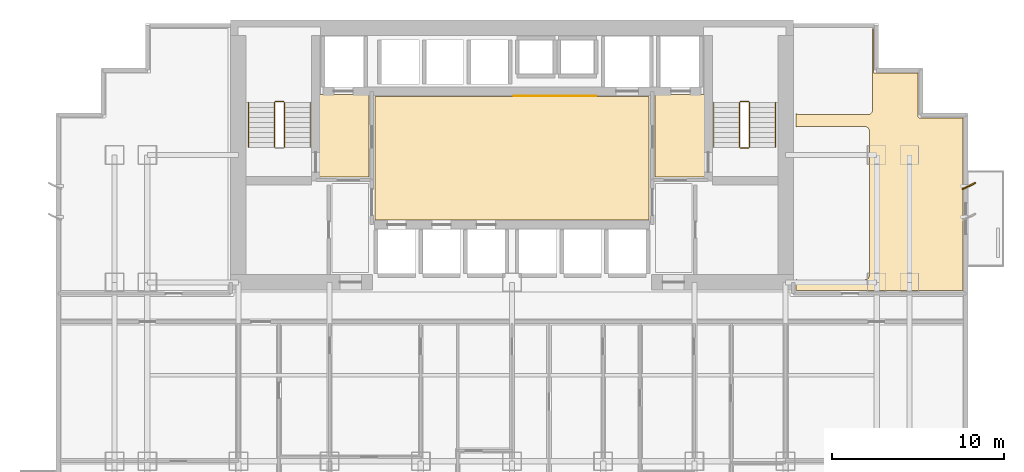
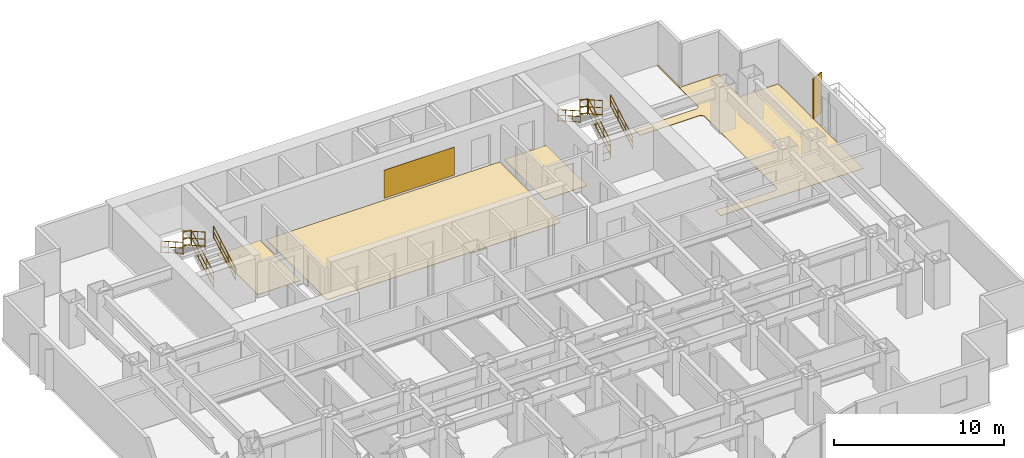
# One storey, part 10 of 10: 11 railings, 5 coverings, 1 shading device.
"""IFC4 building model written with IfcOpenShell, lengths in metres."""

from ifc_helpers import new_model, si_unit, direction, frame, origin, origin_2d, place, context, subcontext, project, spatial, polyline, rectangle, circle, outline, extrude, source, transform, mapped, material, layer, layer_set, type_object, element, save


model = new_model("IFC4")

# Units and contexts
model_context = context("Model", 3, precision=1e-05, world=origin(), true_north=direction((0.0, 1.0)))
body_context = subcontext(model_context, "Body", "Model", "MODEL_VIEW")
ifc_project = project(units=[si_unit("LENGTHUNIT", "METRE"), si_unit("AREAUNIT", "SQUARE_METRE"), si_unit("VOLUMEUNIT", "CUBIC_METRE"), si_unit("PLANEANGLEUNIT", "RADIAN"), si_unit("MASSUNIT", "GRAM", prefix="KILO")], contexts=[model_context])

# Site, building, storey
site_placement = place(None, origin())
site = spatial("IfcSite", under=ifc_project, at=site_placement, CompositionType="ELEMENT")
building_placement = place(site_placement, origin())
building = spatial("IfcBuilding", under=site, at=building_placement, Name="Qianlan Lanfeng Residences", CompositionType="ELEMENT")
storey_placement = place(building_placement, frame((0.0, 0.0, 57.199951171875)))
storey = spatial("IfcBuildingStorey", under=building, at=storey_placement, Name="L15", CompositionType="ELEMENT", Elevation=57.199951171875)

# Coverings
ifc_material_1 = material(Name="Anodised Bronze Feature Wall Cladding")
ifc_layer_1 = layer(ifc_material_1, 0.02490234375)
ifc_layer_set_1 = layer_set([ifc_layer_1], Name="Anodised Bronze Feature Wall Cladding")
covering_type_1 = type_object("IfcCoveringType", Name="CLD-BRZ-25", PredefinedType="CLADDING", material=ifc_layer_set_1)
covering_1_placement = place(storey_placement, frame((0.0, 0.0, 0.150146484375)))
element("IfcCovering", 1, at=covering_1_placement, inside=storey, type_object=covering_type_1, Name="L15 Lift Lobby Bronze Feature Cladding", PredefinedType="CLADDING", context=body_context, shape_type="SweptSolid", body=[
    extrude(outline(polyline([(26.60009765625, 36.02490234375), (31.39990234375, 36.02490234375), (31.39990234375, 36.050048828125), (26.60009765625, 36.050048828125), (26.60009765625, 36.02490234375)])), origin(), (0.0, 0.0, 1.0), 2.02001953125),
])
ifc_material_2 = material(Name="Honed Taitung Granite Stone Flooring", Category="masonry")
ifc_layer_2 = layer(ifc_material_2, 0.030029296875)
ifc_layer_set_2 = layer_set([ifc_layer_2], Name="Honed Taitung Granite Stone Flooring")
covering_type_2 = type_object("IfcCoveringType", Name="FLR-STN-30", PredefinedType="FLOORING", material=ifc_layer_set_2)
covering_2_placement = place(storey_placement, origin())
element("IfcCovering", 2, at=covering_2_placement, inside=storey, type_object=covering_type_2, Name="L15 Firefighting Lift Lobby Floor Finish", PredefinedType="FLOORING", context=body_context, shape_type="SweptSolid", body=[
    extrude(outline(polyline([(15.2900390625, 31.320068359375), (18.179931640625, 31.320068359375), (18.179931640625, 36.110107421875), (15.2900390625, 36.110107421875), (15.2900390625, 31.320068359375)])), origin(), (0.0, 0.0, 1.0), 0.030029296875),
])
covering_3_placement = place(storey_placement, origin())
element("IfcCovering", 3, at=covering_3_placement, inside=storey, type_object=covering_type_2, Name="L15 Firefighting Lift Lobby Floor Finish", PredefinedType="FLOORING", context=body_context, shape_type="SweptSolid", body=[
    extrude(outline(polyline([(34.820068359375, 31.320068359375), (37.7099609375, 31.320068359375), (37.7099609375, 36.110107421875), (34.820068359375, 36.110107421875), (34.820068359375, 31.320068359375)])), origin(), (0.0, 0.0, 1.0), 0.030029296875),
])
covering_4_placement = place(storey_placement, origin())
element("IfcCovering", 4, at=covering_4_placement, inside=storey, type_object=covering_type_2, Name="L15 Lift Lobby Floor Finish", PredefinedType="FLOORING", context=body_context, shape_type="SweptSolid", body=[
    extrude(outline(polyline([(18.550048828125, 28.820068359375), (34.449951171875, 28.820068359375), (34.449951171875, 36.010009765625), (18.550048828125, 36.010009765625), (18.550048828125, 28.820068359375)])), origin(), (0.0, 0.0, 1.0), 0.030029296875),
])
ifc_material_3 = material(Name="Engineered Smoked Oak Timber Flooring", Category="wood")
ifc_layer_3 = layer(ifc_material_3, 0.02197265625)
ifc_layer_set_3 = layer_set([ifc_layer_3], Name="Engineered Smoked Oak Timber Flooring")
covering_type_3 = type_object("IfcCoveringType", Name="FLR-TIM-22", PredefinedType="FLOORING", material=ifc_layer_set_3)
covering_5_placement = place(storey_placement, origin())
element("IfcCovering", 5, at=covering_5_placement, inside=storey, type_object=covering_type_3, Name="L15 Yoga Studio Floor Finish", PredefinedType="FLOORING", context=body_context, shape_type="SweptSolid", body=[
    extrude(outline(polyline([(43.0, 24.719970703125), (52.7099609375, 24.719970703125), (52.7099609375, 34.760009765625), (50.179931640625, 34.760009765625), (50.173095703125, 34.760009765625), (50.166015625, 34.760986328125), (50.159912109375, 34.762939453125), (50.153076171875, 34.764892578125), (50.14697265625, 34.76806640625), (50.14111328125, 34.77197265625), (50.135986328125, 34.77587890625), (50.131103515625, 34.781005859375), (50.1259765625, 34.785888671875), (50.1220703125, 34.791015625), (50.117919921875, 34.797119140625), (50.114990234375, 34.802978515625), (50.113037109375, 34.81005859375), (50.111083984375, 34.81591796875), (50.110107421875, 34.822998046875), (50.110107421875, 34.830078125), (50.110107421875, 37.360107421875), (47.580078125, 37.360107421875), (47.572998046875, 37.360107421875), (47.56591796875, 37.361083984375), (47.56005859375, 37.363037109375), (47.552978515625, 37.364990234375), (47.547119140625, 37.367919921875), (47.541015625, 37.3720703125), (47.535888671875, 37.3759765625), (47.531005859375, 37.381103515625), (47.52587890625, 37.385986328125), (47.52197265625, 37.39111328125), (47.51806640625, 37.39697265625), (47.514892578125, 37.403076171875), (47.512939453125, 37.409912109375), (47.510986328125, 37.416015625), (47.510009765625, 37.423095703125), (47.510009765625, 37.429931640625), (47.510009765625, 39.9599609375), (47.449951171875, 39.9599609375), (47.449951171875, 35.199951171875), (47.448974609375, 35.175048828125), (47.445068359375, 35.15087890625), (47.43896484375, 35.126953125), (47.430908203125, 35.10400390625), (47.419921875, 35.08203125), (47.407958984375, 35.06103515625), (47.39306640625, 35.041015625), (47.376953125, 35.02294921875), (47.35888671875, 35.007080078125), (47.339111328125, 34.991943359375), (47.318115234375, 34.97998046875), (47.2958984375, 34.968994140625), (47.27294921875, 34.9609375), (47.2490234375, 34.955078125), (47.22509765625, 34.950927734375), (47.199951171875, 34.949951171875), (43.199951171875, 34.949951171875), (43.175048828125, 34.950927734375), (43.15087890625, 34.955078125), (43.126953125, 34.9609375), (43.10400390625, 34.968994140625), (43.08203125, 34.97998046875), (43.06103515625, 34.991943359375), (43.041015625, 35.007080078125), (43.02294921875, 35.02294921875), (43.007080078125, 35.041015625), (43.0, 35.050048828125), (43.0, 34.237060546875), (43.007080078125, 34.239013671875), (43.031005859375, 34.2451171875), (43.054931640625, 34.2490234375), (43.080078125, 34.25), (47.02001953125, 34.25), (47.044921875, 34.2490234375), (47.069091796875, 34.2451171875), (47.093017578125, 34.239013671875), (47.115966796875, 34.23095703125), (47.137939453125, 34.219970703125), (47.158935546875, 34.2080078125), (47.178955078125, 34.193115234375), (47.197021484375, 34.177001953125), (47.212890625, 34.158935546875), (47.22802734375, 34.138916015625), (47.239990234375, 34.117919921875), (47.2509765625, 34.095947265625), (47.259033203125, 34.072998046875), (47.264892578125, 34.049072265625), (47.26904296875, 34.02490234375), (47.27001953125, 34.0), (47.27001953125, 25.60009765625), (47.26904296875, 25.574951171875), (47.264892578125, 25.551025390625), (47.259033203125, 25.527099609375), (47.2509765625, 25.50390625), (47.239990234375, 25.48193359375), (47.22802734375, 25.4609375), (47.212890625, 25.44091796875), (47.197021484375, 25.423095703125), (47.178955078125, 25.406982421875), (47.158935546875, 25.39208984375), (47.137939453125, 25.3798828125), (47.115966796875, 25.368896484375), (47.093017578125, 25.361083984375), (47.069091796875, 25.35498046875), (47.044921875, 25.35107421875), (47.02001953125, 25.35009765625), (43.080078125, 25.35009765625), (43.054931640625, 25.35107421875), (43.031005859375, 25.35498046875), (43.007080078125, 25.361083984375), (43.0, 25.363037109375), (43.0, 24.719970703125)])), origin(), (0.0, 0.0, 1.0), 0.02197265625),
])

# Railings
ifc_material_4 = material(Name="Painted Galvanised Steel Guardrail", Category="steel")
railing_type_1 = type_object("IfcRailingType", Name="GR-ST-1120", PredefinedType="GUARDRAIL", material=ifc_material_4)
railing_1_placement = place(storey_placement, frame((13.27001953125, 33.050048828125, 0.1650390625)))
element("IfcRailing", 6, at=railing_1_placement, inside=storey, type_object=railing_type_1, Name="L15 ST-1 stair guard 1", PredefinedType="GUARDRAIL", context=body_context, shape_type="SweptSolid", body=[
    extrude(circle(Radius=0.02392578125, at=origin_2d()), frame((0.0, 0.0, 0.083984375), z_axis=(0.0, 0.869137319866, 0.494570843475), x_axis=(-1.0, 0.0, 0.0)), (0.0, 0.0, 1.0), 3.0029296875),
    extrude(circle(Radius=0.02392578125, at=origin_2d()), frame((0.0, 0.0, 0.58251953125), z_axis=(0.0, 0.869137319866, 0.494570843475), x_axis=(-1.0, 0.0, 0.0)), (0.0, 0.0, 1.0), 3.0029296875),
    extrude(circle(Radius=0.02392578125, at=origin_2d()), frame((0.0, 0.0, 1.09619140625), z_axis=(0.0, 0.869137319866, 0.494570843475), x_axis=(-1.0, 0.0, 0.0)), (0.0, 0.0, 1.0), 3.0029296875),
    extrude(circle(Radius=0.02099609375, at=origin_2d()), origin(), (0.0, 0.0, 1.0), 1.072021484375),
    extrude(circle(Radius=0.02099609375, at=origin_2d()), frame((0.0, 0.869873046875, 0.4951171875)), (0.0, 0.0, 1.0), 1.072021484375),
    extrude(circle(Radius=0.02099609375, at=origin_2d()), frame((0.0, 1.739990234375, 0.989990234375)), (0.0, 0.0, 1.0), 1.072021484375),
    extrude(circle(Radius=0.02099609375, at=origin_2d()), frame((0.0, 2.60986328125, 1.485107421875)), (0.0, 0.0, 1.0), 1.072021484375),
])
railing_2_placement = place(storey_placement, frame((13.219970703125, 35.7099609375, 1.650146484375)))
element("IfcRailing", 7, at=railing_2_placement, inside=storey, type_object=railing_type_1, Name="L15 ST-1 stair guard 2", PredefinedType="GUARDRAIL", context=body_context, shape_type="SweptSolid", body=[
    extrude(circle(Radius=0.02392578125, at=origin_2d()), frame((0.0, 0.0, 0.083984375), z_axis=(-1.0, 0.0, 0.0), x_axis=(0.0, -1.0, 0.0)), (0.0, 0.0, 1.0), 0.47998046875),
    extrude(circle(Radius=0.02392578125, at=origin_2d()), frame((0.0, 0.0, 0.58251953125), z_axis=(-1.0, 0.0, 0.0), x_axis=(0.0, -1.0, 0.0)), (0.0, 0.0, 1.0), 0.47998046875),
    extrude(circle(Radius=0.02392578125, at=origin_2d()), frame((0.0, 0.0, 1.09619140625), z_axis=(-1.0, 0.0, 0.0), x_axis=(0.0, -1.0, 0.0)), (0.0, 0.0, 1.0), 0.47998046875),
    extrude(circle(Radius=0.02099609375, at=origin_2d()), origin(), (0.0, 0.0, 1.0), 1.072021484375),
    extrude(circle(Radius=0.02099609375, at=origin_2d()), frame((-0.47998046875, 0.0, 0.0)), (0.0, 0.0, 1.0), 1.072021484375),
])
railing_3_placement = place(storey_placement, frame((12.68994140625, 35.659912109375, 1.81494140625)))
element("IfcRailing", 8, at=railing_3_placement, inside=storey, type_object=railing_type_1, Name="L15 ST-1 stair guard 3", PredefinedType="GUARDRAIL", context=body_context, shape_type="SweptSolid", body=[
    extrude(circle(Radius=0.02392578125, at=origin_2d()), frame((0.0, 0.0, 0.083984375), z_axis=(0.0, -0.869137319866, 0.494570843475), x_axis=(1.0, 0.0, 0.0)), (0.0, 0.0, 1.0), 3.0029296875),
    extrude(circle(Radius=0.02392578125, at=origin_2d()), frame((0.0, 0.0, 0.58251953125), z_axis=(0.0, -0.869137319866, 0.494570843475), x_axis=(1.0, 0.0, 0.0)), (0.0, 0.0, 1.0), 3.0029296875),
    extrude(circle(Radius=0.02392578125, at=origin_2d()), frame((0.0, 0.0, 1.09619140625), z_axis=(0.0, -0.869137319866, 0.494570843475), x_axis=(1.0, 0.0, 0.0)), (0.0, 0.0, 1.0), 3.0029296875),
    extrude(circle(Radius=0.02099609375, at=origin_2d()), origin(), (0.0, 0.0, 1.0), 1.072021484375),
    extrude(circle(Radius=0.02099609375, at=origin_2d()), frame((0.0, -0.869873046875, 0.4951171875)), (0.0, 0.0, 1.0), 1.072021484375),
    extrude(circle(Radius=0.02099609375, at=origin_2d()), frame((0.0, -1.739990234375, 0.989990234375)), (0.0, 0.0, 1.0), 1.072021484375),
    extrude(circle(Radius=0.02099609375, at=origin_2d()), frame((0.0, -2.60986328125, 1.485107421875)), (0.0, 0.0, 1.0), 1.072021484375),
])
railing_4_placement = place(storey_placement, frame((40.31005859375, 33.050048828125, 0.1650390625)))
element("IfcRailing", 9, at=railing_4_placement, inside=storey, type_object=railing_type_1, Name="L15 ST-2 stair guard 1", PredefinedType="GUARDRAIL", context=body_context, shape_type="SweptSolid", body=[
    extrude(circle(Radius=0.02392578125, at=origin_2d()), frame((0.0, 0.0, 0.083984375), z_axis=(0.0, 0.869137319866, 0.494570843475), x_axis=(-1.0, 0.0, 0.0)), (0.0, 0.0, 1.0), 3.0029296875),
    extrude(circle(Radius=0.02392578125, at=origin_2d()), frame((0.0, 0.0, 0.58251953125), z_axis=(0.0, 0.869137319866, 0.494570843475), x_axis=(-1.0, 0.0, 0.0)), (0.0, 0.0, 1.0), 3.0029296875),
    extrude(circle(Radius=0.02392578125, at=origin_2d()), frame((0.0, 0.0, 1.09619140625), z_axis=(0.0, 0.869137319866, 0.494570843475), x_axis=(-1.0, 0.0, 0.0)), (0.0, 0.0, 1.0), 3.0029296875),
    extrude(circle(Radius=0.02099609375, at=origin_2d()), origin(), (0.0, 0.0, 1.0), 1.072021484375),
    extrude(circle(Radius=0.02099609375, at=origin_2d()), frame((0.0, 0.869873046875, 0.4951171875)), (0.0, 0.0, 1.0), 1.072021484375),
    extrude(circle(Radius=0.02099609375, at=origin_2d()), frame((0.0, 1.739990234375, 0.989990234375)), (0.0, 0.0, 1.0), 1.072021484375),
    extrude(circle(Radius=0.02099609375, at=origin_2d()), frame((0.0, 2.60986328125, 1.485107421875)), (0.0, 0.0, 1.0), 1.072021484375),
])
railing_5_placement = place(storey_placement, frame((40.260009765625, 35.7099609375, 1.650146484375)))
element("IfcRailing", 10, at=railing_5_placement, inside=storey, type_object=railing_type_1, Name="L15 ST-2 stair guard 2", PredefinedType="GUARDRAIL", context=body_context, shape_type="SweptSolid", body=[
    extrude(circle(Radius=0.02392578125, at=origin_2d()), frame((0.0, 0.0, 0.083984375), z_axis=(-1.0, 0.0, 0.0), x_axis=(0.0, -1.0, 0.0)), (0.0, 0.0, 1.0), 0.47998046875),
    extrude(circle(Radius=0.02392578125, at=origin_2d()), frame((0.0, 0.0, 0.58251953125), z_axis=(-1.0, 0.0, 0.0), x_axis=(0.0, -1.0, 0.0)), (0.0, 0.0, 1.0), 0.47998046875),
    extrude(circle(Radius=0.02392578125, at=origin_2d()), frame((0.0, 0.0, 1.09619140625), z_axis=(-1.0, 0.0, 0.0), x_axis=(0.0, -1.0, 0.0)), (0.0, 0.0, 1.0), 0.47998046875),
    extrude(circle(Radius=0.02099609375, at=origin_2d()), origin(), (0.0, 0.0, 1.0), 1.072021484375),
    extrude(circle(Radius=0.02099609375, at=origin_2d()), frame((-0.47998046875, 0.0, 0.0)), (0.0, 0.0, 1.0), 1.072021484375),
])
railing_6_placement = place(storey_placement, frame((39.72998046875, 35.659912109375, 1.81494140625)))
element("IfcRailing", 11, at=railing_6_placement, inside=storey, type_object=railing_type_1, Name="L15 ST-2 stair guard 3", PredefinedType="GUARDRAIL", context=body_context, shape_type="SweptSolid", body=[
    extrude(circle(Radius=0.02392578125, at=origin_2d()), frame((0.0, 0.0, 0.083984375), z_axis=(0.0, -0.869137319866, 0.494570843475), x_axis=(1.0, 0.0, 0.0)), (0.0, 0.0, 1.0), 3.0029296875),
    extrude(circle(Radius=0.02392578125, at=origin_2d()), frame((0.0, 0.0, 0.58251953125), z_axis=(0.0, -0.869137319866, 0.494570843475), x_axis=(1.0, 0.0, 0.0)), (0.0, 0.0, 1.0), 3.0029296875),
    extrude(circle(Radius=0.02392578125, at=origin_2d()), frame((0.0, 0.0, 1.09619140625), z_axis=(0.0, -0.869137319866, 0.494570843475), x_axis=(1.0, 0.0, 0.0)), (0.0, 0.0, 1.0), 3.0029296875),
    extrude(circle(Radius=0.02099609375, at=origin_2d()), origin(), (0.0, 0.0, 1.0), 1.072021484375),
    extrude(circle(Radius=0.02099609375, at=origin_2d()), frame((0.0, -0.869873046875, 0.4951171875)), (0.0, 0.0, 1.0), 1.072021484375),
    extrude(circle(Radius=0.02099609375, at=origin_2d()), frame((0.0, -1.739990234375, 0.989990234375)), (0.0, 0.0, 1.0), 1.072021484375),
    extrude(circle(Radius=0.02099609375, at=origin_2d()), frame((0.0, -2.60986328125, 1.485107421875)), (0.0, 0.0, 1.0), 1.072021484375),
])
railing_7_placement = place(storey_placement, frame((40.260009765625, 33.0, 0.0)))
element("IfcRailing", 12, at=railing_7_placement, inside=storey, type_object=railing_type_1, Name="L15 ST-2 stair guard 4", PredefinedType="GUARDRAIL", context=body_context, shape_type="SweptSolid", body=[
    extrude(circle(Radius=0.02392578125, at=origin_2d()), frame((0.0, 0.0, 0.083984375), z_axis=(-1.0, 0.0, 0.0), x_axis=(0.0, -1.0, 0.0)), (0.0, 0.0, 1.0), 0.47998046875),
    extrude(circle(Radius=0.02392578125, at=origin_2d()), frame((0.0, 0.0, 0.58251953125), z_axis=(-1.0, 0.0, 0.0), x_axis=(0.0, -1.0, 0.0)), (0.0, 0.0, 1.0), 0.47998046875),
    extrude(circle(Radius=0.02392578125, at=origin_2d()), frame((0.0, 0.0, 1.09619140625), z_axis=(-1.0, 0.0, 0.0), x_axis=(0.0, -1.0, 0.0)), (0.0, 0.0, 1.0), 0.47998046875),
    extrude(circle(Radius=0.02099609375, at=origin_2d()), origin(), (0.0, 0.0, 1.0), 1.072021484375),
    extrude(circle(Radius=0.02099609375, at=origin_2d()), frame((-0.47998046875, 0.0, 0.0)), (0.0, 0.0, 1.0), 1.072021484375),
])
ifc_material_5 = material(Name="Brushed Stainless Steel Handrail", Category="steel")
railing_type_2 = type_object("IfcRailingType", Name="HR-ST-920", PredefinedType="HANDRAIL", material=ifc_material_5)
railing_8_placement = place(storey_placement, frame((14.77001953125, 33.050048828125, 0.1650390625)))
element("IfcRailing", 13, at=railing_8_placement, inside=storey, type_object=railing_type_2, Name="L15 ST-1 stair handrail 1", PredefinedType="HANDRAIL", context=body_context, shape_type="SweptSolid", body=[
    extrude(circle(Radius=0.02392578125, at=origin_2d()), frame((0.0, 0.0, 0.083984375), z_axis=(0.0, 0.869137319866, 0.494570843475), x_axis=(-1.0, 0.0, 0.0)), (0.0, 0.0, 1.0), 3.0029296875),
    extrude(circle(Radius=0.02392578125, at=origin_2d()), frame((0.0, 0.0, 0.468017578125), z_axis=(0.0, 0.869137319866, 0.494570843475), x_axis=(-1.0, 0.0, 0.0)), (0.0, 0.0, 1.0), 3.0029296875),
    extrude(circle(Radius=0.02392578125, at=origin_2d()), frame((0.0, 0.0, 0.8759765625), z_axis=(0.0, 0.869137319866, 0.494570843475), x_axis=(-1.0, 0.0, 0.0)), (0.0, 0.0, 1.0), 3.0029296875),
    extrude(circle(Radius=0.02099609375, at=origin_2d()), origin(), (0.0, 0.0, 1.0), 0.851806640625),
    extrude(circle(Radius=0.02099609375, at=origin_2d()), frame((0.0, 0.869873046875, 0.4951171875)), (0.0, 0.0, 1.0), 0.851806640625),
    extrude(circle(Radius=0.02099609375, at=origin_2d()), frame((0.0, 1.739990234375, 0.989990234375)), (0.0, 0.0, 1.0), 0.851806640625),
    extrude(circle(Radius=0.02099609375, at=origin_2d()), frame((0.0, 2.60986328125, 1.485107421875)), (0.0, 0.0, 1.0), 0.851806640625),
])
railing_9_placement = place(storey_placement, frame((11.18994140625, 35.659912109375, 1.81494140625)))
element("IfcRailing", 14, at=railing_9_placement, inside=storey, type_object=railing_type_2, Name="L15 ST-1 stair handrail 2", PredefinedType="HANDRAIL", context=body_context, shape_type="SweptSolid", body=[
    extrude(circle(Radius=0.02392578125, at=origin_2d()), frame((0.0, 0.0, 0.083984375), z_axis=(0.0, -0.869137319866, 0.494570843475), x_axis=(1.0, 0.0, 0.0)), (0.0, 0.0, 1.0), 3.0029296875),
    extrude(circle(Radius=0.02392578125, at=origin_2d()), frame((0.0, 0.0, 0.468017578125), z_axis=(0.0, -0.869137319866, 0.494570843475), x_axis=(1.0, 0.0, 0.0)), (0.0, 0.0, 1.0), 3.0029296875),
    extrude(circle(Radius=0.02392578125, at=origin_2d()), frame((0.0, 0.0, 0.8759765625), z_axis=(0.0, -0.869137319866, 0.494570843475), x_axis=(1.0, 0.0, 0.0)), (0.0, 0.0, 1.0), 3.0029296875),
    extrude(circle(Radius=0.02099609375, at=origin_2d()), origin(), (0.0, 0.0, 1.0), 0.851806640625),
    extrude(circle(Radius=0.02099609375, at=origin_2d()), frame((0.0, -0.869873046875, 0.4951171875)), (0.0, 0.0, 1.0), 0.851806640625),
    extrude(circle(Radius=0.02099609375, at=origin_2d()), frame((0.0, -1.739990234375, 0.989990234375)), (0.0, 0.0, 1.0), 0.851806640625),
    extrude(circle(Radius=0.02099609375, at=origin_2d()), frame((0.0, -2.60986328125, 1.485107421875)), (0.0, 0.0, 1.0), 0.851806640625),
])
railing_10_placement = place(storey_placement, frame((41.81005859375, 33.050048828125, 0.1650390625)))
element("IfcRailing", 15, at=railing_10_placement, inside=storey, type_object=railing_type_2, Name="L15 ST-2 stair handrail 1", PredefinedType="HANDRAIL", context=body_context, shape_type="SweptSolid", body=[
    extrude(circle(Radius=0.02392578125, at=origin_2d()), frame((0.0, 0.0, 0.083984375), z_axis=(0.0, 0.869137319866, 0.494570843475), x_axis=(-1.0, 0.0, 0.0)), (0.0, 0.0, 1.0), 3.0029296875),
    extrude(circle(Radius=0.02392578125, at=origin_2d()), frame((0.0, 0.0, 0.468017578125), z_axis=(0.0, 0.869137319866, 0.494570843475), x_axis=(-1.0, 0.0, 0.0)), (0.0, 0.0, 1.0), 3.0029296875),
    extrude(circle(Radius=0.02392578125, at=origin_2d()), frame((0.0, 0.0, 0.8759765625), z_axis=(0.0, 0.869137319866, 0.494570843475), x_axis=(-1.0, 0.0, 0.0)), (0.0, 0.0, 1.0), 3.0029296875),
    extrude(circle(Radius=0.02099609375, at=origin_2d()), origin(), (0.0, 0.0, 1.0), 0.851806640625),
    extrude(circle(Radius=0.02099609375, at=origin_2d()), frame((0.0, 0.869873046875, 0.4951171875)), (0.0, 0.0, 1.0), 0.851806640625),
    extrude(circle(Radius=0.02099609375, at=origin_2d()), frame((0.0, 1.739990234375, 0.989990234375)), (0.0, 0.0, 1.0), 0.851806640625),
    extrude(circle(Radius=0.02099609375, at=origin_2d()), frame((0.0, 2.60986328125, 1.485107421875)), (0.0, 0.0, 1.0), 0.851806640625),
])
railing_11_placement = place(storey_placement, frame((38.22998046875, 35.659912109375, 1.81494140625)))
element("IfcRailing", 16, at=railing_11_placement, inside=storey, type_object=railing_type_2, Name="L15 ST-2 stair handrail 2", PredefinedType="HANDRAIL", context=body_context, shape_type="SweptSolid", body=[
    extrude(circle(Radius=0.02392578125, at=origin_2d()), frame((0.0, 0.0, 0.083984375), z_axis=(0.0, -0.869137319866, 0.494570843475), x_axis=(1.0, 0.0, 0.0)), (0.0, 0.0, 1.0), 3.0029296875),
    extrude(circle(Radius=0.02392578125, at=origin_2d()), frame((0.0, 0.0, 0.468017578125), z_axis=(0.0, -0.869137319866, 0.494570843475), x_axis=(1.0, 0.0, 0.0)), (0.0, 0.0, 1.0), 3.0029296875),
    extrude(circle(Radius=0.02392578125, at=origin_2d()), frame((0.0, 0.0, 0.8759765625), z_axis=(0.0, -0.869137319866, 0.494570843475), x_axis=(1.0, 0.0, 0.0)), (0.0, 0.0, 1.0), 3.0029296875),
    extrude(circle(Radius=0.02099609375, at=origin_2d()), origin(), (0.0, 0.0, 1.0), 0.851806640625),
    extrude(circle(Radius=0.02099609375, at=origin_2d()), frame((0.0, -0.869873046875, 0.4951171875)), (0.0, 0.0, 1.0), 0.851806640625),
    extrude(circle(Radius=0.02099609375, at=origin_2d()), frame((0.0, -1.739990234375, 0.989990234375)), (0.0, 0.0, 1.0), 0.851806640625),
    extrude(circle(Radius=0.02099609375, at=origin_2d()), frame((0.0, -2.60986328125, 1.485107421875)), (0.0, 0.0, 1.0), 0.851806640625),
])

# Shading device
ifc_material_6 = material(Name="Anodised Bronze Aluminium Solar Fin", Category="aluminium")
shading_device_type = type_object("IfcShadingDeviceType", Name="FIN-BRZ-850", PredefinedType="SHUTTER", material=ifc_material_6)
shared_shape = source(origin(), body_context, "Body", "SweptSolid", [
    extrude(rectangle(XDim=0.85009765625, YDim=0.080078125, at=origin_2d()), origin(), (0.0, 0.0, 1.0), 2.89990234375),
])
shading_device_placement = place(storey_placement, frame((53.070068359375, 30.800048828125, 0.0), z_axis=(0.0, 0.0, 1.0), x_axis=(0.898794046299, 0.438371146789, 0.0)))
element("IfcShadingDevice", 17, at=shading_device_placement, inside=storey, type_object=shading_device_type, Name="L15 Raked Bronze Solar Fin E2", PredefinedType="SHUTTER", context=body_context, shape_type="MappedRepresentation", body=[
    mapped(shared_shape, transform((0.0, 0.0, 0.0), scale=1.0)),
])

save(model, "model.ifc")
